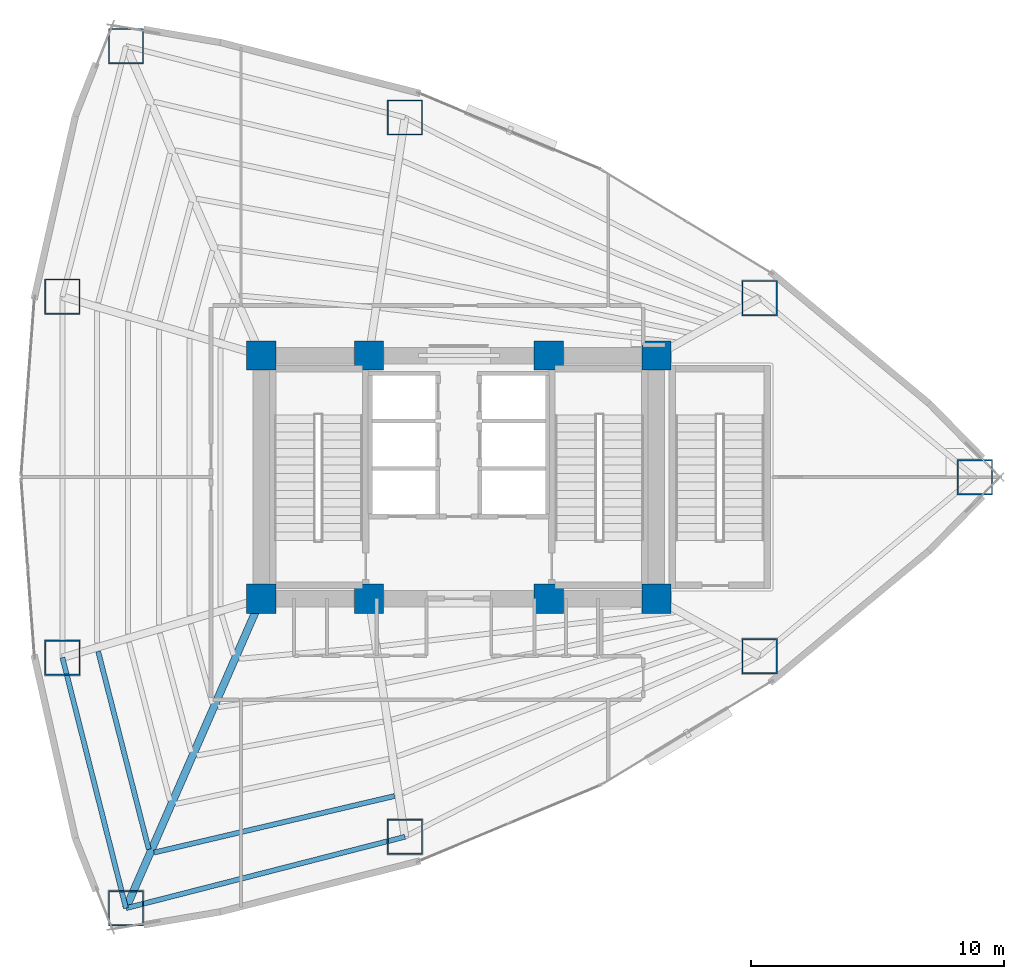
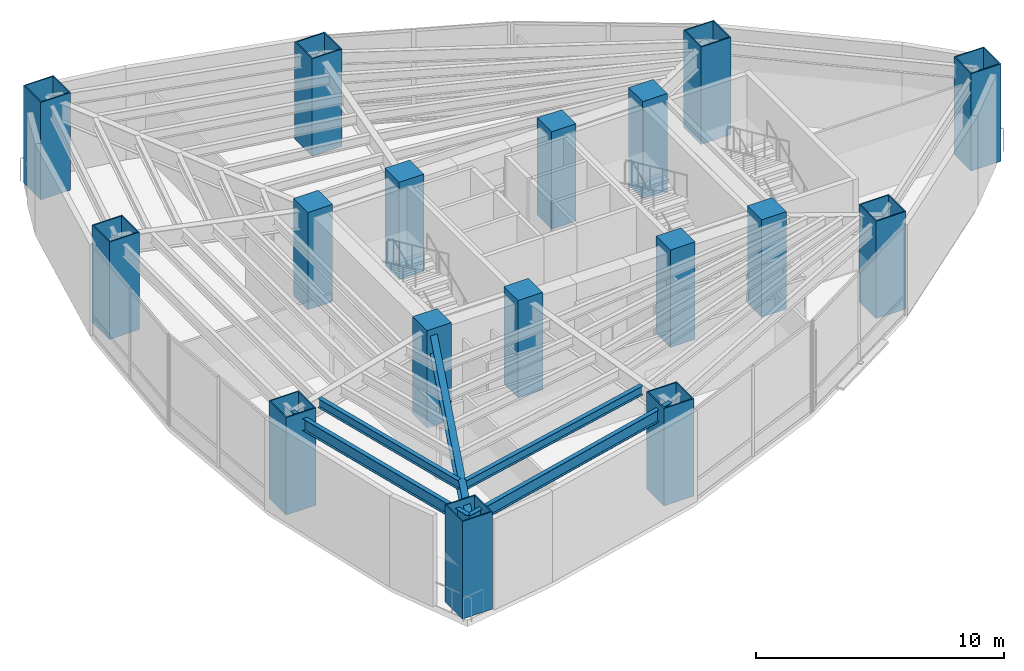
# One storey, part 1 of 18: 17 columns, 5 beams.
"""IFC4 building model written with IfcOpenShell, lengths in metres."""

from ifc_helpers import new_model, si_unit, direction, frame, origin, origin_2d, place, context, subcontext, project, spatial, rectangle, hollow_rectangle, i_section, extrude, material, material_profile, profile_set, type_object, element, save


model = new_model("IFC4")

# Units and contexts
model_context = context("Model", 3, precision=1e-05, world=origin(), true_north=direction((0.0, 1.0)))
body_context = subcontext(model_context, "Body", "Model", "MODEL_VIEW")
ifc_project = project(units=[si_unit("LENGTHUNIT", "METRE"), si_unit("AREAUNIT", "SQUARE_METRE"), si_unit("VOLUMEUNIT", "CUBIC_METRE"), si_unit("PLANEANGLEUNIT", "RADIAN"), si_unit("MASSUNIT", "GRAM", prefix="KILO")], contexts=[model_context])

# Site, building, storey
site_placement = place(None, origin())
site = spatial("IfcSite", under=ifc_project, at=site_placement, CompositionType="ELEMENT")
building_placement = place(site_placement, origin())
building = spatial("IfcBuilding", under=site, at=building_placement, Name="Menara Vayukalpa", CompositionType="ELEMENT")
storey_placement = place(building_placement, frame((0.0, 0.0, 7.199951171875)))
storey = spatial("IfcBuildingStorey", under=building, at=storey_placement, Name="L01", CompositionType="ELEMENT", Elevation=7.199951171875)

# Columns
ifc_material_1 = material(Name="Concrete C80/95", Category="concrete")
ifc_material_profile_1 = material_profile(ifc_material_1, rectangle(XDim=1.14990234375, YDim=1.14990234375, at=origin_2d()), Name="RC 1150x1150")
ifc_profile_set_1 = profile_set([ifc_material_profile_1], Name="Concrete C80/95")
column_type_1 = type_object("IfcColumnType", Name="COL-CC1", PredefinedType="COLUMN", material=ifc_profile_set_1)
for number, where, z_axis, x_axis, name in (
    (1, (17.800048828125, 17.199951171875, 0.0), (0.0, 0.0, 1.0), (1.0, 0.0, 0.0), "L01 Core Pilaster Column CC1"),
    (2, (22.050048828125, 17.199951171875, 0.0), (0.0, 0.0, 1.0), (1.0, 0.0, 0.0), "L01 Core Pilaster Column CC2"),
    (3, (29.14990234375, 17.199951171875, 0.0), (0.0, 0.0, 1.0), (1.0, 0.0, 0.0), "L01 Core Pilaster Column CC3"),
    (4, (33.39990234375, 17.199951171875, 0.0), (0.0, 0.0, 1.0), (1.0, 0.0, 0.0), "L01 Core Pilaster Column CC4"),
    (5, (17.800048828125, 26.800048828125, 0.0), (0.0, 0.0, 1.0), (1.0, 0.0, 0.0), "L01 Core Pilaster Column CC5"),
    (6, (22.050048828125, 26.800048828125, 0.0), (0.0, 0.0, 1.0), (1.0, 0.0, 0.0), "L01 Core Pilaster Column CC6"),
    (7, (29.14990234375, 26.800048828125, 0.0), (0.0, 0.0, 1.0), (1.0, 0.0, 0.0), "L01 Core Pilaster Column CC7"),
    (8, (33.39990234375, 26.800048828125, 0.0), (0.0, 0.0, 1.0), (1.0, 0.0, 0.0), "L01 Core Pilaster Column CC8"),
):
    element("IfcColumn", number, at=place(storey_placement, frame(where, z_axis=z_axis, x_axis=x_axis)), inside=storey, type_object=column_type_1, Name=name, PredefinedType="COLUMN", context=body_context, shape_type="SweptSolid", body=[
        extrude(rectangle(XDim=1.14990234375, YDim=1.14990234375, at=origin_2d()), origin(), (0.0, 0.0, 1.0), 4.800048828125),
    ])
ifc_material_2 = material(Name="Steel S460", Category="steel")
ifc_material_profile_2 = material_profile(ifc_material_2, hollow_rectangle(XDim=1.39990234375, YDim=1.39990234375, WallThickness=0.054931640625, at=origin_2d()), Name="BOX 1400x1400x55")
ifc_profile_set_2 = profile_set([ifc_material_profile_2], Name="Steel S460")
column_type_2 = type_object("IfcColumnType", Name="COL-MC1", PredefinedType="COLUMN", material=ifc_profile_set_2)
for number, where, z_axis, x_axis, name in (
    (9, (45.979248046875, 22.0, 0.0), (0.0, 0.0, 1.0), (1.0, 0.0, 0.0), "L01 Perimeter Mega Column P01"),
    (10, (37.47412109375, 29.07080078125, 0.0), (0.0, 0.0, 1.0), (1.0, 0.0, 0.0), "L01 Perimeter Mega Column P02"),
    (11, (23.4755859375, 36.19970703125, 0.0), (0.0, 0.0, 1.0), (1.0, 0.0, 0.0), "L01 Perimeter Mega Column P03"),
    (12, (12.46044921875, 39.01904296875, 0.0), (0.0, 0.0, 1.0), (1.0, 0.0, 0.0), "L01 Perimeter Mega Column P04"),
    (13, (9.951904296875, 29.12890625, 0.0), (0.0, 0.0, 1.0), (1.0, 0.0, 0.0), "L01 Perimeter Mega Column P05"),
    (14, (9.951904296875, 14.87109375, 0.0), (0.0, 0.0, 1.0), (1.0, 0.0, 0.0), "L01 Perimeter Mega Column P06"),
    (15, (12.46044921875, 4.98095703125, 0.0), (0.0, 0.0, 1.0), (1.0, 0.0, 0.0), "L01 Perimeter Mega Column P07"),
    (16, (23.4755859375, 7.80029296875, 0.0), (0.0, 0.0, 1.0), (1.0, 0.0, 0.0), "L01 Perimeter Mega Column P08"),
    (17, (37.47412109375, 14.92919921875, 0.0), (0.0, 0.0, 1.0), (1.0, 0.0, 0.0), "L01 Perimeter Mega Column P09"),
):
    element("IfcColumn", number, at=place(storey_placement, frame(where, z_axis=z_axis, x_axis=x_axis)), inside=storey, type_object=column_type_2, Name=name, PredefinedType="COLUMN", context=body_context, shape_type="SweptSolid", body=[
        extrude(hollow_rectangle(XDim=1.39990234375, YDim=1.39990234375, WallThickness=0.054931640625, at=origin_2d()), origin(), (0.0, 0.0, 1.0), 4.800048828125),
    ])

# Beams
ifc_material_3 = material(Name="Steel S355", Category="steel")
ifc_material_profile_3 = material_profile(ifc_material_3, i_section(OverallWidth=0.300048828125, OverallDepth=0.89990234375, WebThickness=0.01611328125, FlangeThickness=0.028076171875, at=origin_2d()), Name="WF 900x300x16x28")
ifc_profile_set_3 = profile_set([ifc_material_profile_3], Name="Steel S355")
beam_type_1 = type_object("IfcBeamType", Name="BM-PG1", PredefinedType="BEAM", material=ifc_profile_set_3)
beam_1_placement = place(storey_placement, frame((17.699951171875, 16.970947265625, 4.030029296875), z_axis=(-0.400426299501, -0.916328968585, 0.0), x_axis=(0.916328968585, -0.400426299501, 0.0)))
element("IfcBeam", 18, at=beam_1_placement, inside=storey, type_object=beam_type_1, Name="L01 Primary Radial Girder RG07", PredefinedType="BEAM", context=body_context, shape_type="SweptSolid", body=[
    extrude(i_section(OverallWidth=0.300048828125, OverallDepth=0.89990234375, WebThickness=0.01611328125, FlangeThickness=0.028076171875, at=origin_2d()), origin(), (0.0, 0.0, 1.0), 13.084716796875),
])
ifc_material_4 = material(Name="Steel S355", Category="steel")
ifc_material_profile_4 = material_profile(ifc_material_4, i_section(OverallWidth=0.199951171875, OverallDepth=0.449951171875, WebThickness=0.009033203125, FlangeThickness=0.013916015625, at=origin_2d()), Name="WF 450x200x9x14")
ifc_profile_set_4 = profile_set([ifc_material_profile_4], Name="Steel S355")
beam_type_2 = type_object("IfcBeamType", Name="BM-SJ1", PredefinedType="JOIST", material=ifc_profile_set_4)
beam_2_placement = place(storey_placement, frame((11.363525390625, 15.11279296875, 4.255126953125), z_axis=(0.247855728428, -0.9687969539, 0.0), x_axis=(0.9687969539, 0.247855728428, 0.0)))
element("IfcBeam", 19, at=beam_2_placement, inside=storey, type_object=beam_type_2, Name="L01 Secondary Floor Joist SJ06-5", PredefinedType="JOIST", context=body_context, shape_type="SweptSolid", body=[
    extrude(i_section(OverallWidth=0.199951171875, OverallDepth=0.449951171875, WebThickness=0.009033203125, FlangeThickness=0.013916015625, at=origin_2d()), origin(), (0.0, 0.0, 1.0), 8.060302734375),
])
beam_3_placement = place(storey_placement, frame((13.569091796875, 7.177978515625, 4.255126953125), z_axis=(0.973474607698, 0.228795078983, 0.0), x_axis=(-0.228795078983, 0.973474607698, 0.0)))
element("IfcBeam", 20, at=beam_3_placement, inside=storey, type_object=beam_type_2, Name="L01 Secondary Floor Joist SJ07-5", PredefinedType="JOIST", context=body_context, shape_type="SweptSolid", body=[
    extrude(i_section(OverallWidth=0.199951171875, OverallDepth=0.449951171875, WebThickness=0.009033203125, FlangeThickness=0.013916015625, at=origin_2d()), origin(), (0.0, 0.0, 1.0), 9.749755859375),
])
ifc_material_5 = material(Name="Steel S355", Category="steel")
ifc_material_profile_5 = material_profile(ifc_material_5, i_section(OverallWidth=0.199951171875, OverallDepth=0.60009765625, WebThickness=0.010986328125, FlangeThickness=0.01708984375, at=origin_2d()), Name="WF 600x200x11x17")
ifc_profile_set_5 = profile_set([ifc_material_profile_5], Name="Steel S355")
beam_type_3 = type_object("IfcBeamType", Name="BM-SP1", PredefinedType="SPANDREL", material=ifc_profile_set_5)
beam_4_placement = place(storey_placement, frame((9.951904296875, 14.87109375, 4.179931640625), z_axis=(0.24585591488, -0.969306385576, 0.0), x_axis=(0.969306385576, 0.24585591488, 0.0)))
element("IfcBeam", 21, at=beam_4_placement, inside=storey, type_object=beam_type_3, Name="L01 Perimeter Spandrel Beam SP06", PredefinedType="SPANDREL", context=body_context, shape_type="SweptSolid", body=[
    extrude(i_section(OverallWidth=0.199951171875, OverallDepth=0.60009765625, WebThickness=0.010986328125, FlangeThickness=0.01708984375, at=origin_2d()), origin(), (0.0, 0.0, 1.0), 10.203369140625),
])
beam_5_placement = place(storey_placement, frame((12.46044921875, 4.98095703125, 4.179931640625), z_axis=(0.968770804637, 0.247957915953, 0.0), x_axis=(-0.247957915953, 0.968770804637, 0.0)))
element("IfcBeam", 22, at=beam_5_placement, inside=storey, type_object=beam_type_3, Name="L01 Perimeter Spandrel Beam SP07", PredefinedType="SPANDREL", context=body_context, shape_type="SweptSolid", body=[
    extrude(i_section(OverallWidth=0.199951171875, OverallDepth=0.60009765625, WebThickness=0.010986328125, FlangeThickness=0.01708984375, at=origin_2d()), origin(), (0.0, 0.0, 1.0), 11.3701171875),
])

save(model, "model.ifc")
